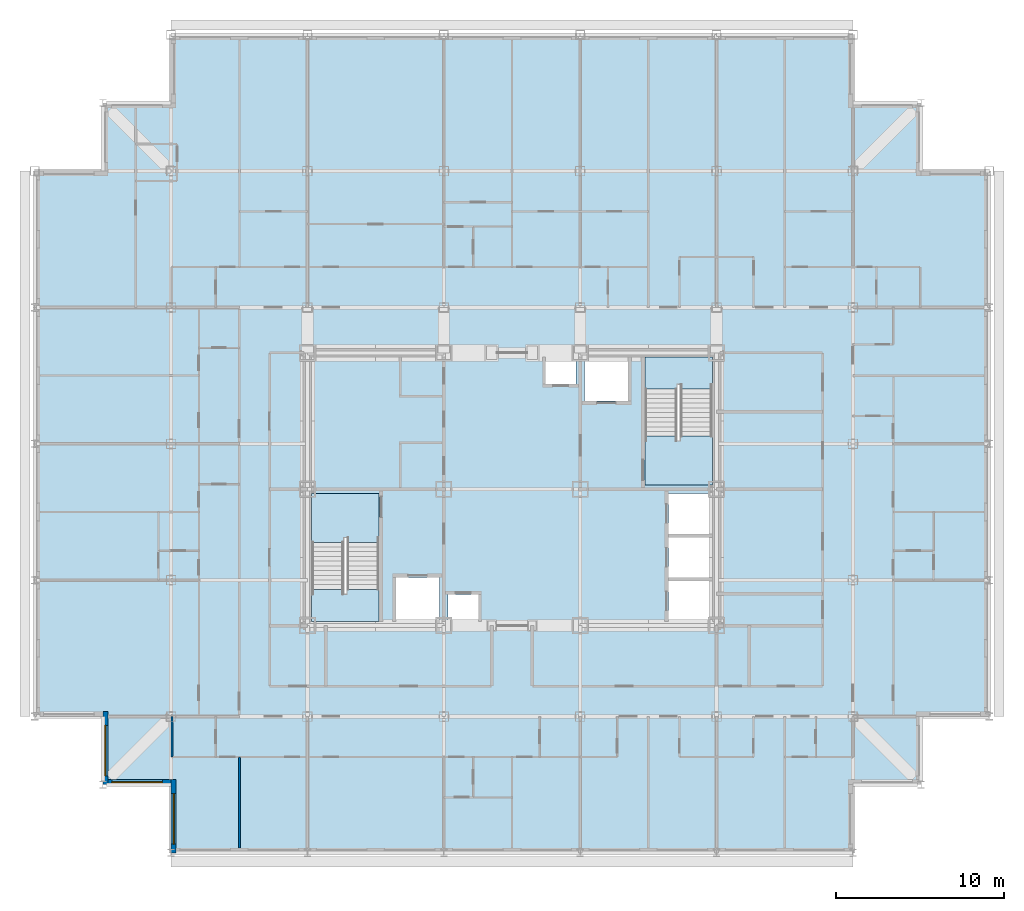
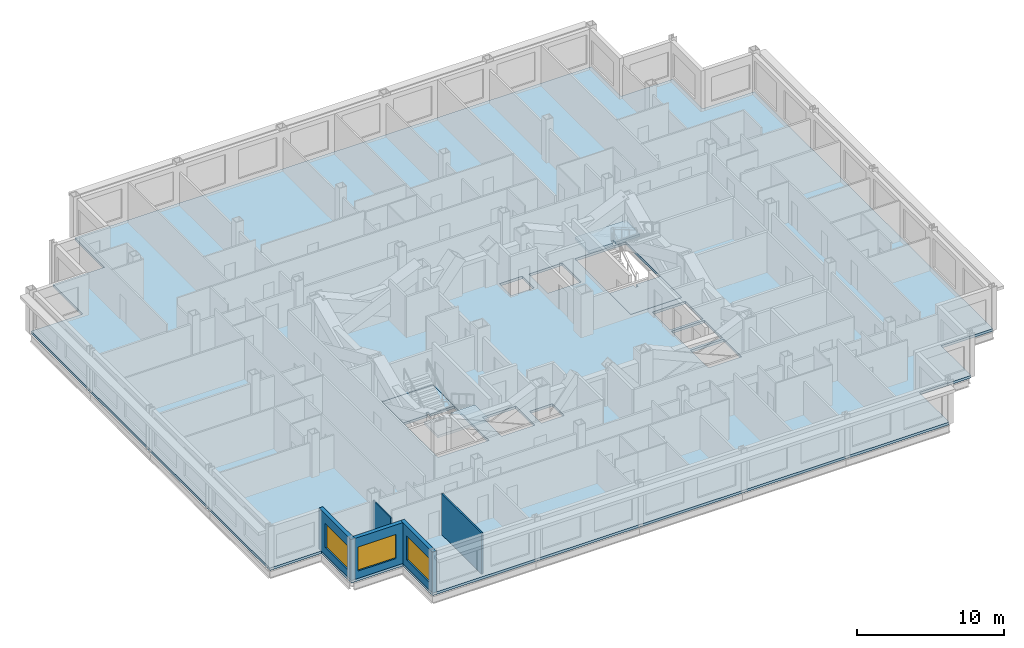
# One storey, part 3 of 12: 5 slabs, 5 walls, 3 windows, 3 openings, 2 elements without a shape of their own.
"""IFC4 building model written with IfcOpenShell, lengths in metres."""

from ifc_helpers import new_model, si_unit, direction, frame, frame_2d, origin, place, context, subcontext, project, spatial, polyline, rectangle, outline, extrude, material, layer, layer_set, type_object, element, fill, aggregate, save


model = new_model("IFC4")

# Units and contexts
model_context = context("Model", 3, precision=1e-05, world=origin(), true_north=direction((0.0, 1.0)))
body_context = subcontext(model_context, "Body", "Model", "MODEL_VIEW")
ifc_project = project(units=[si_unit("LENGTHUNIT", "METRE"), si_unit("AREAUNIT", "SQUARE_METRE"), si_unit("VOLUMEUNIT", "CUBIC_METRE"), si_unit("PLANEANGLEUNIT", "RADIAN"), si_unit("MASSUNIT", "GRAM", prefix="KILO")], contexts=[model_context])

# Site, building, storey
site_placement = place(None, origin())
site = spatial("IfcSite", under=ifc_project, at=site_placement, CompositionType="ELEMENT")
building_placement = place(site_placement, origin())
building = spatial("IfcBuilding", under=site, at=building_placement, Name="Kopane Lantern Tower", CompositionType="ELEMENT")
storey_placement = place(building_placement, frame((0.0, 0.0, 213.60009765625)))
storey = spatial("IfcBuildingStorey", under=building, at=storey_placement, Name="L55", CompositionType="ELEMENT", Elevation=213.60009765625)

# Slab
ifc_material_1 = material(Name="Concrete C40/50", Category="concrete")
ifc_layer_1 = layer(ifc_material_1, 0.2099609375)
ifc_layer_set_1 = layer_set([ifc_layer_1], Name="SLAB 210 COMPOSITE")
slab_type_1 = type_object("IfcSlabType", Name="SLAB 210 COMPOSITE", PredefinedType="FLOOR", material=ifc_layer_set_1)
slab_1_placement = place(storey_placement, frame((0.0, 0.0, -0.210205078125)))
element("IfcSlab", 1, at=slab_1_placement, inside=storey, type_object=slab_type_1, Name="Floor slab L55", PredefinedType="FLOOR", context=body_context, shape_type="SweptSolid", body=[
    extrude(outline(polyline([(8.10009765625, 10.800048828125), (48.60009765625, 10.800048828125), (48.60009765625, 14.85009765625), (52.64990234375, 14.85009765625), (52.64990234375, 18.89990234375), (56.699951171875, 18.89990234375), (56.699951171875, 51.300048828125), (52.64990234375, 51.300048828125), (52.64990234375, 55.35009765625), (48.60009765625, 55.35009765625), (48.60009765625, 59.39990234375), (8.10009765625, 59.39990234375), (8.10009765625, 55.35009765625), (4.050048828125, 55.35009765625), (4.050048828125, 51.300048828125), (0.0, 51.300048828125), (0.0, 18.89990234375), (4.050048828125, 18.89990234375), (4.050048828125, 14.85009765625), (8.10009765625, 14.85009765625), (8.10009765625, 10.800048828125)]), holes=[polyline([(16.449951171875, 24.550048828125), (20.449951171875, 24.550048828125), (20.449951171875, 32.14990234375), (16.449951171875, 32.14990234375), (16.449951171875, 24.550048828125)]), polyline([(36.25, 32.64990234375), (40.25, 32.64990234375), (40.25, 40.25), (36.25, 40.25), (36.25, 32.64990234375)]), polyline([(37.64990234375, 24.550048828125), (40.25, 24.550048828125), (40.25, 26.949951171875), (37.64990234375, 26.949951171875), (37.64990234375, 24.550048828125)]), polyline([(37.64990234375, 27.14990234375), (40.25, 27.14990234375), (40.25, 29.550048828125), (37.64990234375, 29.550048828125), (37.64990234375, 27.14990234375)]), polyline([(37.64990234375, 29.75), (40.25, 29.75), (40.25, 32.14990234375), (37.64990234375, 32.14990234375), (37.64990234375, 29.75)]), polyline([(21.449951171875, 24.550048828125), (24.050048828125, 24.550048828125), (24.050048828125, 27.14990234375), (21.449951171875, 27.14990234375), (21.449951171875, 24.550048828125)]), polyline([(32.64990234375, 37.64990234375), (35.25, 37.64990234375), (35.25, 40.25), (32.64990234375, 40.25), (32.64990234375, 37.64990234375)]), polyline([(24.550048828125, 24.550048828125), (26.35009765625, 24.550048828125), (26.35009765625, 26.14990234375), (24.550048828125, 26.14990234375), (24.550048828125, 24.550048828125)]), polyline([(30.35009765625, 38.64990234375), (32.14990234375, 38.64990234375), (32.14990234375, 40.25), (30.35009765625, 40.25), (30.35009765625, 38.64990234375)])]), origin(), (0.0, 0.0, 1.0), 0.210205078125),
])

# Stair, slabs
ifc_material_2 = material(Name="Steel S355JR", Category="steel")
stair_type = type_object("IfcStairType", Name="EXIT STAIR 1900 HALF TURN", PredefinedType="HALF_TURN_STAIR", material=ifc_material_2)
stair_1_placement = place(storey_placement, origin())
stair_1 = element("IfcStair", 2, at=stair_1_placement, inside=storey, type_object=stair_type, Name="Exit stair ST1 L55", PredefinedType="HALF_TURN_STAIR")
ifc_material_3 = material(Name="Concrete C40/50", Category="concrete")
ifc_layer_2 = layer(ifc_material_3, 0.199951171875)
ifc_layer_set_2 = layer_set([ifc_layer_2], Name="STAIR LANDING 200")
slab_type_2 = type_object("IfcSlabType", Name="STAIR LANDING 200", PredefinedType="LANDING", material=ifc_layer_set_2)
slab_2_placement = place(storey_placement, frame((0.0, 0.0, -0.2001953125)))
slab_2 = element("IfcSlab", 3, at=slab_2_placement, type_object=slab_type_2, Name="ST1 landing 1", PredefinedType="LANDING", context=body_context, shape_type="SweptSolid", body=[
    extrude(outline(polyline([(18.35009765625, 29.530029296875), (18.550048828125, 29.530029296875), (18.550048828125, 29.25), (20.449951171875, 29.25), (20.449951171875, 32.14990234375), (16.449951171875, 32.14990234375), (16.449951171875, 29.25), (18.35009765625, 29.25), (18.35009765625, 29.530029296875)])), origin(), (0.0, 0.0, 1.0), 0.2001953125),
])
slab_3_placement = place(storey_placement, frame((0.0, 0.0, 1.599853515625)))
slab_3 = element("IfcSlab", 4, at=slab_3_placement, type_object=slab_type_2, Name="ST1 landing 2", PredefinedType="LANDING", context=body_context, shape_type="SweptSolid", body=[
    extrude(outline(polyline([(20.449951171875, 26.449951171875), (18.550048828125, 26.449951171875), (18.550048828125, 26.169921875), (18.35009765625, 26.169921875), (18.35009765625, 26.449951171875), (16.449951171875, 26.449951171875), (16.449951171875, 24.550048828125), (20.449951171875, 24.550048828125), (20.449951171875, 26.449951171875)])), origin(), (0.0, 0.0, 1.0), 0.199951171875),
])
aggregate(stair_1, [slab_2, slab_3])

stair_2_placement = place(storey_placement, origin())
stair_2 = element("IfcStair", 5, at=stair_2_placement, inside=storey, type_object=stair_type, Name="Exit stair ST2 L55", PredefinedType="HALF_TURN_STAIR")
slab_4_placement = place(storey_placement, frame((0.0, 0.0, -0.2001953125)))
slab_4 = element("IfcSlab", 6, at=slab_4_placement, type_object=slab_type_2, Name="ST2 landing 1", PredefinedType="LANDING", context=body_context, shape_type="SweptSolid", body=[
    extrude(outline(polyline([(40.25, 35.550048828125), (38.35009765625, 35.550048828125), (38.35009765625, 35.27001953125), (38.14990234375, 35.27001953125), (38.14990234375, 35.550048828125), (36.25, 35.550048828125), (36.25, 32.64990234375), (40.25, 32.64990234375), (40.25, 35.550048828125)])), origin(), (0.0, 0.0, 1.0), 0.2001953125),
])
slab_5_placement = place(storey_placement, frame((0.0, 0.0, 1.599853515625)))
slab_5 = element("IfcSlab", 7, at=slab_5_placement, type_object=slab_type_2, Name="ST2 landing 2", PredefinedType="LANDING", context=body_context, shape_type="SweptSolid", body=[
    extrude(outline(polyline([(38.14990234375, 38.6298828125), (38.35009765625, 38.6298828125), (38.35009765625, 38.35009765625), (40.25, 38.35009765625), (40.25, 40.25), (36.25, 40.25), (36.25, 38.35009765625), (38.14990234375, 38.35009765625), (38.14990234375, 38.6298828125)])), origin(), (0.0, 0.0, 1.0), 0.199951171875),
])
aggregate(stair_2, [slab_4, slab_5])

# Walls
ifc_material_4 = material(Name="Gypsum board on steel studs", Category="steel")
ifc_layer_3 = layer(ifc_material_4, 0.1201171875)
ifc_layer_set_3 = layer_set([ifc_layer_3], Name="APARTMENT INTERNAL WALL 120")
wall_type_1 = type_object("IfcWallType", Name="APARTMENT INTERNAL WALL 120", PredefinedType="PARTITIONING", material=ifc_layer_set_3)
wall_1_placement = place(storey_placement, frame((12.14990234375, 16.5, 0.0), z_axis=(0.0, 0.0, 1.0), x_axis=(0.0, -1.0, 0.0)))
element("IfcWall", 8, at=wall_1_placement, inside=storey, type_object=wall_type_1, Name="Apartment Internal Wall 120 L55", PredefinedType="PARTITIONING", context=body_context, shape_type="SweptSolid", body=[
    extrude(rectangle(XDim=5.39990234375, YDim=0.1201171875, at=frame_2d((2.699951171875, 0.0))), origin(), (0.0, 0.0, 1.0), 3.389892578125),
])
ifc_material_5 = material(Name="Moisture-resistant board on steel studs", Category="steel")
ifc_layer_4 = layer(ifc_material_5, 0.10009765625)
ifc_layer_set_4 = layer_set([ifc_layer_4], Name="BATHROOM WALL 100")
wall_type_2 = type_object("IfcWallType", Name="BATHROOM WALL 100", PredefinedType="PARTITIONING", material=ifc_layer_set_4)
wall_2_placement = place(storey_placement, frame((8.14990234375, 18.89990234375, 0.0), z_axis=(0.0, 0.0, 1.0), x_axis=(0.0, -1.0, 0.0)))
element("IfcWall", 9, at=wall_2_placement, inside=storey, type_object=wall_type_2, Name="Bathroom Wall 100 L55", PredefinedType="PARTITIONING", context=body_context, shape_type="SweptSolid", body=[
    extrude(rectangle(XDim=2.39990234375, YDim=0.10009765625, at=frame_2d((1.199951171875, 0.0))), origin(), (0.0, 0.0, 1.0), 2.777587890625),
])

# Wall, opening, window
ifc_material_6 = material(Name="Terracotta rainscreen on light steel framing", Category="masonry")
ifc_layer_5 = layer(ifc_material_6, 0.300048828125)
ifc_layer_set_5 = layer_set([ifc_layer_5], Name="EXTERNAL WALL EW1 300 TERRACOTTA")
wall_type_3 = type_object("IfcWallType", Name="EXTERNAL WALL EW1 300 TERRACOTTA", PredefinedType="SOLIDWALL", material=ifc_layer_set_5)
wall_3_placement = place(storey_placement, frame((4.199951171875, 19.199951171875, 0.0), z_axis=(0.0, 0.0, 1.0), x_axis=(0.0, -1.0, 0.0)))
wall_3 = element("IfcWall", 10, at=wall_3_placement, inside=storey, type_object=wall_type_3, Name="External wall W L55", PredefinedType="SOLIDWALL", context=body_context, shape_type="SweptSolid", body=[
    extrude(rectangle(XDim=4.349853515625, YDim=0.300048828125, at=frame_2d((2.1748046875, 0.0))), origin(), (0.0, 0.0, 1.0), 3.389892578125),
])
opening_1_placement = place(wall_3_placement, frame((0.824951171875, 0.0, 0.60009765625)))
opening_1 = element("IfcOpeningElement", 11, at=opening_1_placement, cuts=wall_3, Name="Opening WR300200", PredefinedType="OPENING", context=body_context, shape_type="SweptSolid", body=[
    extrude(rectangle(XDim=3.0, YDim=2.0, at=frame_2d((1.5, 1.0))), frame((0.0, 0.159912109375, 0.0), z_axis=(0.0, -1.0, 0.0), x_axis=(1.0, 0.0, 0.0)), (0.0, 0.0, 1.0), 0.320068359375),
])
ifc_material_7 = material(Name="Aluminium and clear glass", Category="aluminium")
window_type = type_object("IfcWindowType", Name="RIBBON WINDOW WR300200 3000x2000", PartitioningType="SINGLE_PANEL", PredefinedType="WINDOW", material=ifc_material_7)
window_1_placement = place(opening_1_placement, origin())
window_1 = element("IfcWindow", 12, at=window_1_placement, inside=storey, type_object=window_type, Name="Window W L55", OverallHeight=2.0, OverallWidth=3.0, PartitioningType="SINGLE_PANEL", PredefinedType="WINDOW", context=body_context, shape_type="SweptSolid", body=[
    extrude(rectangle(XDim=3.0, YDim=2.0, at=frame_2d((1.5, 1.0))), frame((0.0, 0.030029296875, 0.0), z_axis=(0.0, -1.0, 0.0), x_axis=(1.0, 0.0, 0.0)), (0.0, 0.0, 1.0), 0.06005859375),
])
fill(opening_1, window_1)

wall_4_placement = place(storey_placement, frame((4.35009765625, 15.0, 0.0), z_axis=(0.0, 0.0, 1.0), x_axis=(1.0, 0.0, 0.0)))
wall_4 = element("IfcWall", 13, at=wall_4_placement, inside=storey, type_object=wall_type_3, Name="External wall S L55", PredefinedType="SOLIDWALL", context=body_context, shape_type="SweptSolid", body=[
    extrude(rectangle(XDim=3.75, YDim=0.300048828125, at=frame_2d((1.875, 0.0))), origin(), (0.0, 0.0, 1.0), 3.389892578125),
])
opening_2_placement = place(wall_4_placement, frame((0.22509765625, 0.0, 0.60009765625)))
opening_2 = element("IfcOpeningElement", 14, at=opening_2_placement, cuts=wall_4, Name="Opening WR300200", PredefinedType="OPENING", context=body_context, shape_type="SweptSolid", body=[
    extrude(rectangle(XDim=3.0, YDim=2.0, at=frame_2d((1.5, 1.0))), frame((0.0, 0.159912109375, 0.0), z_axis=(0.0, -1.0, 0.0), x_axis=(1.0, 0.0, 0.0)), (0.0, 0.0, 1.0), 0.320068359375),
])
window_2_placement = place(opening_2_placement, origin())
window_2 = element("IfcWindow", 15, at=window_2_placement, inside=storey, type_object=window_type, Name="Window S L55", OverallHeight=2.0, OverallWidth=3.0, PartitioningType="SINGLE_PANEL", PredefinedType="WINDOW", context=body_context, shape_type="SweptSolid", body=[
    extrude(rectangle(XDim=3.0, YDim=2.0, at=frame_2d((1.5, 1.0))), frame((0.0, 0.030029296875, 0.0), z_axis=(0.0, -1.0, 0.0), x_axis=(1.0, 0.0, 0.0)), (0.0, 0.0, 1.0), 0.06005859375),
])
fill(opening_2, window_2)

wall_5_placement = place(storey_placement, frame((8.25, 15.14990234375, 0.0), z_axis=(0.0, 0.0, 1.0), x_axis=(0.0, -1.0, 0.0)))
wall_5 = element("IfcWall", 16, at=wall_5_placement, inside=storey, type_object=wall_type_3, Name="External wall W L55", PredefinedType="SOLIDWALL", context=body_context, shape_type="SweptSolid", body=[
    extrude(rectangle(XDim=4.349853515625, YDim=0.300048828125, at=frame_2d((2.1748046875, 0.0))), origin(), (0.0, 0.0, 1.0), 3.389892578125),
])
opening_3_placement = place(wall_5_placement, frame((0.824951171875, 0.0, 0.60009765625)))
opening_3 = element("IfcOpeningElement", 17, at=opening_3_placement, cuts=wall_5, Name="Opening WR300200", PredefinedType="OPENING", context=body_context, shape_type="SweptSolid", body=[
    extrude(rectangle(XDim=3.0, YDim=2.0, at=frame_2d((1.5, 1.0))), frame((0.0, 0.159912109375, 0.0), z_axis=(0.0, -1.0, 0.0), x_axis=(1.0, 0.0, 0.0)), (0.0, 0.0, 1.0), 0.320068359375),
])
window_3_placement = place(opening_3_placement, origin())
window_3 = element("IfcWindow", 18, at=window_3_placement, inside=storey, type_object=window_type, Name="Window W L55", OverallHeight=2.0, OverallWidth=3.0, PartitioningType="SINGLE_PANEL", PredefinedType="WINDOW", context=body_context, shape_type="SweptSolid", body=[
    extrude(rectangle(XDim=3.0, YDim=2.0, at=frame_2d((1.5, 1.0))), frame((0.0, 0.030029296875, 0.0), z_axis=(0.0, -1.0, 0.0), x_axis=(1.0, 0.0, 0.0)), (0.0, 0.0, 1.0), 0.06005859375),
])
fill(opening_3, window_3)

save(model, "model.ifc")
